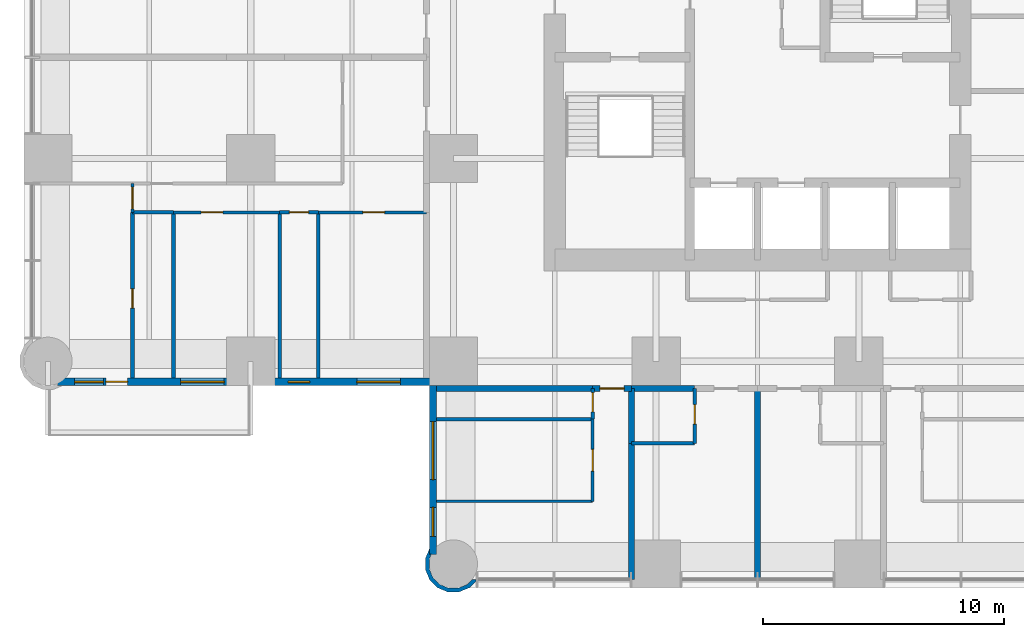
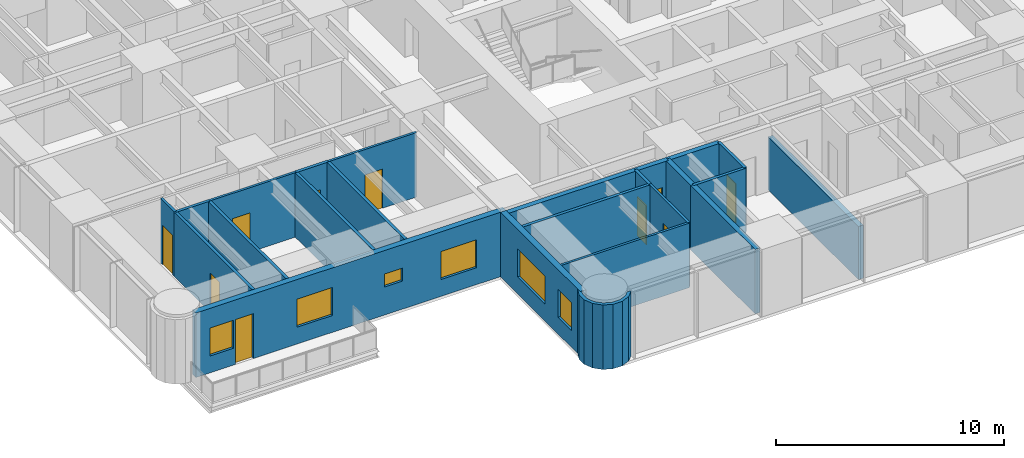
# One storey, part 6 of 14: 24 walls, 10 doors, 6 windows, 16 openings.
"""IFC4 building model written with IfcOpenShell, lengths in metres."""

from ifc_helpers import new_model, si_unit, direction, frame, frame_2d, origin, place, context, subcontext, project, spatial, polyline, rectangle, outline, extrude, material, layer, layer_set, type_object, element, fill, save


model = new_model("IFC4")

# Units and contexts
model_context = context("Model", 3, precision=1e-05, world=origin(), true_north=direction((0.0, 1.0)))
body_context = subcontext(model_context, "Body", "Model", "MODEL_VIEW")
ifc_project = project(units=[si_unit("LENGTHUNIT", "METRE"), si_unit("AREAUNIT", "SQUARE_METRE"), si_unit("VOLUMEUNIT", "CUBIC_METRE"), si_unit("PLANEANGLEUNIT", "RADIAN"), si_unit("MASSUNIT", "GRAM", prefix="KILO")], contexts=[model_context])

# Site, building, storey
site_placement = place(None, origin())
site = spatial("IfcSite", under=ifc_project, at=site_placement, CompositionType="ELEMENT")
building_placement = place(site_placement, origin())
building = spatial("IfcBuilding", under=site, at=building_placement, Name="Torre Alcanfor", CompositionType="ELEMENT")
storey_placement = place(building_placement, frame((0.0, 0.0, 112.5)))
storey = spatial("IfcBuildingStorey", under=building, at=storey_placement, Name="L28", CompositionType="ELEMENT", Elevation=112.5)

# Wall
ifc_material_1 = material(Name="Concrete block masonry, hollow blocks NMX-C-404 9 MPa", Category="masonry")
ifc_layer_1 = layer(ifc_material_1, 0.25)
ifc_layer_set_1 = layer_set([ifc_layer_1], Name="Apartment entrance wall 250 EI 60")
wall_type_1 = type_object("IfcWallType", Name="Apartment entrance wall 250 EI 60", PredefinedType="PARTITIONING", material=ifc_layer_set_1)
wall_1_placement = place(storey_placement, frame((26.800048828125, 15.675048828125, 0.0), z_axis=(0.0, 0.0, 1.0), x_axis=(-1.0, 0.0, 0.0)))
element("IfcWall", 1, at=wall_1_placement, inside=storey, type_object=wall_type_1, Name="Partition L28-CORR / L28-S2A-BATH", PredefinedType="PARTITIONING", context=body_context, shape_type="SweptSolid", body=[
    extrude(rectangle(XDim=2.629150390625, YDim=0.25, at=frame_2d((1.314453125, 0.0))), origin(), (0.0, 0.0, 1.0), 3.449951171875),
])

# Wall, opening, door
wall_2_placement = place(storey_placement, frame((24.1708984375, 15.675048828125, 0.0), z_axis=(0.0, 0.0, 1.0), x_axis=(-1.0, 0.0, 0.0)))
wall_2 = element("IfcWall", 2, at=wall_2_placement, inside=storey, type_object=wall_type_1, Name="Partition L28-CORR / L28-S2B-LIVING", PredefinedType="PARTITIONING", context=body_context, shape_type="SweptSolid", body=[
    extrude(rectangle(XDim=1.599853515625, YDim=0.25, at=frame_2d((0.7998046875, 0.0))), origin(), (0.0, 0.0, 1.0), 3.449951171875),
])
opening_1_placement = place(wall_2_placement, frame((0.300048828125, 0.0, 0.0)))
opening_1 = element("IfcOpeningElement", 3, at=opening_1_placement, cuts=wall_2, Name="Opening D-A1", PredefinedType="OPENING", context=body_context, shape_type="SweptSolid", body=[
    extrude(rectangle(XDim=1.0, YDim=2.10009765625, at=frame_2d((0.5, 1.050048828125))), frame((0.0, 0.135009765625, 0.0), z_axis=(0.0, -1.0, 0.0), x_axis=(1.0, 0.0, 0.0)), (0.0, 0.0, 1.0), 0.27001953125),
])
ifc_material_2 = material(Name="Galvanised steel sheet ASTM A653", Category="steel")
door_type_1 = type_object("IfcDoorType", Name="Apartment entrance door FD60 1000x2100", OperationType="SINGLE_SWING_LEFT", PredefinedType="DOOR", material=ifc_material_2)
door_1_placement = place(opening_1_placement, origin())
door_1 = element("IfcDoor", 4, at=door_1_placement, inside=storey, type_object=door_type_1, Name="Apartment entrance L28-S2B", OperationType="SINGLE_SWING_LEFT", OverallHeight=2.10009765625, OverallWidth=1.0, PredefinedType="DOOR", context=body_context, shape_type="SweptSolid", body=[
    extrude(rectangle(XDim=1.0, YDim=2.10009765625, at=frame_2d((0.5, 1.050048828125))), frame((0.0, 0.02490234375, 0.0), z_axis=(0.0, -1.0, 0.0), x_axis=(1.0, 0.0, 0.0)), (0.0, 0.0, 1.0), 0.050048828125),
])
fill(opening_1, door_1)

# Walls
wall_3_placement = place(storey_placement, frame((22.571044921875, 15.675048828125, 0.0), z_axis=(0.0, 0.0, 1.0), x_axis=(-1.0, 0.0, 0.0)))
element("IfcWall", 5, at=wall_3_placement, inside=storey, type_object=wall_type_1, Name="Partition L28-CORR / L28-S2B-BATH", PredefinedType="PARTITIONING", context=body_context, shape_type="SweptSolid", body=[
    extrude(rectangle(XDim=6.470947265625, YDim=0.25, at=frame_2d((3.2353515625, 0.0))), origin(), (0.0, 0.0, 1.0), 3.449951171875),
])
ifc_material_3 = material(Name="Gypsum board on steel studs", Category="steel")
ifc_layer_2 = layer(ifc_material_3, 0.1201171875)
ifc_layer_set_2 = layer_set([ifc_layer_2], Name="Apartment partition 120")
wall_type_2 = type_object("IfcWallType", Name="Apartment partition 120", PredefinedType="PARTITIONING", material=ifc_layer_set_2)
wall_4_placement = place(storey_placement, frame((16.10009765625, 11.0, 0.0), z_axis=(0.0, 0.0, 1.0), x_axis=(1.0, 0.0, 0.0)))
element("IfcWall", 6, at=wall_4_placement, inside=storey, type_object=wall_type_2, Name="Partition L28-S2B-LIVING / L28-S2B-MASTER", PredefinedType="PARTITIONING", context=body_context, shape_type="SweptSolid", body=[
    extrude(rectangle(XDim=6.470947265625, YDim=0.1201171875, at=frame_2d((3.2353515625, 0.0))), origin(), (0.0, 0.0, 1.0), 3.449951171875),
])

# Wall, opening, door
wall_5_placement = place(storey_placement, frame((22.571044921875, 11.0, 0.0), z_axis=(0.0, 0.0, 1.0), x_axis=(0.0, 1.0, 0.0)))
wall_5 = element("IfcWall", 7, at=wall_5_placement, inside=storey, type_object=wall_type_2, Name="Partition L28-S2B-LIVING / L28-S2B-MASTER", PredefinedType="PARTITIONING", context=body_context, shape_type="SweptSolid", body=[
    extrude(rectangle(XDim=3.39990234375, YDim=0.1201171875, at=frame_2d((1.699951171875, 0.0))), origin(), (0.0, 0.0, 1.0), 3.449951171875),
])
opening_2_placement = place(wall_5_placement, frame((1.25, 0.0, 0.0)))
opening_2 = element("IfcOpeningElement", 8, at=opening_2_placement, cuts=wall_5, Name="Opening D-R1", PredefinedType="OPENING", context=body_context, shape_type="SweptSolid", body=[
    extrude(rectangle(XDim=0.89990234375, YDim=2.10009765625, at=frame_2d((0.449951171875, 1.050048828125))), frame((0.0, 0.070068359375, 0.0), z_axis=(0.0, -1.0, 0.0), x_axis=(1.0, 0.0, 0.0)), (0.0, 0.0, 1.0), 0.14013671875),
])
ifc_material_4 = material(Name="Timber", Category="wood")
door_type_2 = type_object("IfcDoorType", Name="Internal door 900x2100", OperationType="SINGLE_SWING_LEFT", PredefinedType="DOOR", material=ifc_material_4)
door_2_placement = place(opening_2_placement, origin())
door_2 = element("IfcDoor", 9, at=door_2_placement, inside=storey, type_object=door_type_2, Name="Door L28-S2B master", OperationType="SINGLE_SWING_LEFT", OverallHeight=2.10009765625, OverallWidth=0.89990234375, PredefinedType="DOOR", context=body_context, shape_type="SweptSolid", body=[
    extrude(rectangle(XDim=0.89990234375, YDim=2.10009765625, at=frame_2d((0.449951171875, 1.050048828125))), frame((0.0, 0.02490234375, 0.0), z_axis=(0.0, -1.0, 0.0), x_axis=(1.0, 0.0, 0.0)), (0.0, 0.0, 1.0), 0.050048828125),
])
fill(opening_2, door_2)

wall_6_placement = place(storey_placement, frame((11.199951171875, 22.970947265625, 0.0), z_axis=(0.0, 0.0, 1.0), x_axis=(1.0, 0.0, 0.0)))
wall_6 = element("IfcWall", 10, at=wall_6_placement, inside=storey, type_object=wall_type_2, Name="Partition L28-W1-HALL / L28-W1-BED3", PredefinedType="PARTITIONING", context=body_context, shape_type="SweptSolid", body=[
    extrude(rectangle(XDim=4.47509765625, YDim=0.1201171875, at=frame_2d((2.237548828125, 0.0))), origin(), (0.0, 0.0, 1.0), 3.449951171875),
])
opening_3_placement = place(wall_6_placement, frame((1.85009765625, 0.0, 0.0)))
opening_3 = element("IfcOpeningElement", 11, at=opening_3_placement, cuts=wall_6, Name="Opening D-R1", PredefinedType="OPENING", context=body_context, shape_type="SweptSolid", body=[
    extrude(rectangle(XDim=0.89990234375, YDim=2.10009765625, at=frame_2d((0.449951171875, 1.050048828125))), frame((0.0, 0.070068359375, 0.0), z_axis=(0.0, -1.0, 0.0), x_axis=(1.0, 0.0, 0.0)), (0.0, 0.0, 1.0), 0.14013671875),
])
door_3_placement = place(opening_3_placement, frame((0.89990234375, 0.0, 0.0), z_axis=(0.0, 0.0, 1.0), x_axis=(-1.0, 0.0, 0.0)))
door_3 = element("IfcDoor", 12, at=door_3_placement, inside=storey, type_object=door_type_2, Name="Door L28-W1 bed3", OperationType="SINGLE_SWING_LEFT", OverallHeight=2.10009765625, OverallWidth=0.89990234375, PredefinedType="DOOR", context=body_context, shape_type="SweptSolid", body=[
    extrude(rectangle(XDim=0.89990234375, YDim=2.10009765625, at=frame_2d((0.449951171875, 1.050048828125))), frame((0.0, 0.025146484375, 0.0), z_axis=(0.0, -1.0, 0.0), x_axis=(1.0, 0.0, 0.0)), (0.0, 0.0, 1.0), 0.050048828125),
])
fill(opening_3, door_3)

wall_7_placement = place(storey_placement, frame((5.199951171875, 22.970947265625, 0.0), z_axis=(0.0, 0.0, 1.0), x_axis=(1.0, 0.0, 0.0)))
wall_7 = element("IfcWall", 13, at=wall_7_placement, inside=storey, type_object=wall_type_2, Name="Partition L28-W1-HALL / L28-W1-BED2", PredefinedType="PARTITIONING", context=body_context, shape_type="SweptSolid", body=[
    extrude(rectangle(XDim=4.400146484375, YDim=0.1201171875, at=frame_2d((2.2001953125, 0.0))), origin(), (0.0, 0.0, 1.0), 3.449951171875),
])
opening_4_placement = place(wall_7_placement, frame((1.14990234375, 0.0, 0.0)))
opening_4 = element("IfcOpeningElement", 14, at=opening_4_placement, cuts=wall_7, Name="Opening D-R1", PredefinedType="OPENING", context=body_context, shape_type="SweptSolid", body=[
    extrude(rectangle(XDim=0.89990234375, YDim=2.10009765625, at=frame_2d((0.449951171875, 1.050048828125))), frame((0.0, 0.070068359375, 0.0), z_axis=(0.0, -1.0, 0.0), x_axis=(1.0, 0.0, 0.0)), (0.0, 0.0, 1.0), 0.14013671875),
])
door_4_placement = place(opening_4_placement, frame((0.89990234375, 0.0, 0.0), z_axis=(0.0, 0.0, 1.0), x_axis=(-1.0, 0.0, 0.0)))
door_4 = element("IfcDoor", 15, at=door_4_placement, inside=storey, type_object=door_type_2, Name="Door L28-W1 bed2", OperationType="SINGLE_SWING_RIGHT", OverallHeight=2.10009765625, OverallWidth=0.89990234375, PredefinedType="DOOR", context=body_context, shape_type="SweptSolid", body=[
    extrude(rectangle(XDim=0.89990234375, YDim=2.10009765625, at=frame_2d((0.449951171875, 1.050048828125))), frame((0.0, 0.025146484375, 0.0), z_axis=(0.0, -1.0, 0.0), x_axis=(1.0, 0.0, 0.0)), (0.0, 0.0, 1.0), 0.050048828125),
])
fill(opening_4, door_4)

wall_8_placement = place(storey_placement, frame((3.5, 24.1708984375, 0.0), z_axis=(0.0, 0.0, 1.0), x_axis=(0.0, -1.0, 0.0)))
wall_8 = element("IfcWall", 16, at=wall_8_placement, inside=storey, type_object=wall_type_2, Name="Partition L28-W1-HALL / L28-W1-MASTER", PredefinedType="PARTITIONING", context=body_context, shape_type="SweptSolid", body=[
    extrude(rectangle(XDim=1.199951171875, YDim=0.1201171875, at=frame_2d((0.60009765625, 0.0))), origin(), (0.0, 0.0, 1.0), 3.449951171875),
])
opening_5_placement = place(wall_8_placement, frame((0.15087890625, 0.0, 0.0)))
opening_5 = element("IfcOpeningElement", 17, at=opening_5_placement, cuts=wall_8, Name="Opening D-R1", PredefinedType="OPENING", context=body_context, shape_type="SweptSolid", body=[
    extrude(rectangle(XDim=0.89990234375, YDim=2.10009765625, at=frame_2d((0.449951171875, 1.050048828125))), frame((0.0, 0.070068359375, 0.0), z_axis=(0.0, -1.0, 0.0), x_axis=(1.0, 0.0, 0.0)), (0.0, 0.0, 1.0), 0.14013671875),
])
door_5_placement = place(opening_5_placement, frame((0.89990234375, 0.0, 0.0), z_axis=(0.0, 0.0, 1.0), x_axis=(-1.0, 0.0, 0.0)))
door_5 = element("IfcDoor", 18, at=door_5_placement, inside=storey, type_object=door_type_2, Name="Door L28-W1 master", OperationType="SINGLE_SWING_RIGHT", OverallHeight=2.10009765625, OverallWidth=0.89990234375, PredefinedType="DOOR", context=body_context, shape_type="SweptSolid", body=[
    extrude(rectangle(XDim=0.89990234375, YDim=2.10009765625, at=frame_2d((0.449951171875, 1.050048828125))), frame((0.0, 0.025146484375, 0.0), z_axis=(0.0, -1.0, 0.0), x_axis=(1.0, 0.0, 0.0)), (0.0, 0.0, 1.0), 0.050048828125),
])
fill(opening_5, door_5)

# Wall, openings, door, windows
ifc_material_5 = material(Name="Limestone cladding", Category="masonry")
ifc_layer_3 = layer(ifc_material_5, 0.0400390625, Name="Facing")
ifc_material_6 = material(Name="Ventilated air cavity")
ifc_layer_4 = layer(ifc_material_6, 0.02001953125, ventilated=True, Name="Ventilated joint")
ifc_material_7 = material(Name="Mineral wool insulation", Category="insulation")
ifc_layer_5 = layer(ifc_material_7, 0.10009765625, Name="Insulation")
ifc_material_8 = material(Name="Concrete f'c 35 MPa", Category="concrete")
ifc_layer_6 = layer(ifc_material_8, 0.139892578125, Name="Backing")
ifc_layer_set_3 = layer_set([ifc_layer_3, ifc_layer_4, ifc_layer_5, ifc_layer_6], Name="External wall stone-clad 300")
wall_type_3 = type_object("IfcWallType", Name="External wall stone-clad 300", PredefinedType="SOLIDWALL", material=ifc_layer_set_3)
wall_9_placement = place(storey_placement, frame((0.39990234375, 15.949951171875, 0.0), z_axis=(0.0, 0.0, 1.0), x_axis=(1.0, 0.0, 0.0)))
wall_9 = element("IfcWall", 19, at=wall_9_placement, inside=storey, type_object=wall_type_3, Name="External wall L28 3", PredefinedType="SOLIDWALL", context=body_context, shape_type="SweptSolid", body=[
    extrude(rectangle(XDim=15.7001953125, YDim=0.300048828125, at=frame_2d((7.85009765625, 0.0))), origin(), (0.0, 0.0, 1.0), 3.449951171875),
])
opening_6_placement = place(wall_9_placement, frame((12.39990234375, 0.0, 0.89990234375)))
opening_6 = element("IfcOpeningElement", 20, at=opening_6_placement, cuts=wall_9, Name="Opening W2", PredefinedType="OPENING", context=body_context, shape_type="SweptSolid", body=[
    extrude(rectangle(XDim=1.800048828125, YDim=1.5, at=frame_2d((0.89990234375, 0.75))), frame((0.0, 0.159912109375, 0.0), z_axis=(0.0, -1.0, 0.0), x_axis=(1.0, 0.0, 0.0)), (0.0, 0.0, 1.0), 0.320068359375),
])
opening_7_placement = place(wall_9_placement, frame((9.550048828125, 0.0, 1.5)))
opening_7 = element("IfcOpeningElement", 21, at=opening_7_placement, cuts=wall_9, Name="Opening W3", PredefinedType="OPENING", context=body_context, shape_type="SweptSolid", body=[
    extrude(rectangle(XDim=0.89990234375, YDim=0.699951171875, at=frame_2d((0.449951171875, 0.35009765625))), frame((0.0, 0.159912109375, 0.0), z_axis=(0.0, -1.0, 0.0), x_axis=(1.0, 0.0, 0.0)), (0.0, 0.0, 1.0), 0.320068359375),
])
opening_8_placement = place(wall_9_placement, frame((5.10009765625, 0.0, 0.89990234375)))
opening_8 = element("IfcOpeningElement", 22, at=opening_8_placement, cuts=wall_9, Name="Opening W2", PredefinedType="OPENING", context=body_context, shape_type="SweptSolid", body=[
    extrude(rectangle(XDim=1.800048828125, YDim=1.5, at=frame_2d((0.89990234375, 0.75))), frame((0.0, 0.159912109375, 0.0), z_axis=(0.0, -1.0, 0.0), x_axis=(1.0, 0.0, 0.0)), (0.0, 0.0, 1.0), 0.320068359375),
])
opening_9_placement = place(wall_9_placement, frame((2.0, 0.0, 0.0)))
opening_9 = element("IfcOpeningElement", 23, at=opening_9_placement, cuts=wall_9, Name="Opening D-B1", PredefinedType="OPENING", context=body_context, shape_type="SweptSolid", body=[
    extrude(rectangle(XDim=0.89990234375, YDim=2.39990234375, at=frame_2d((0.449951171875, 1.199951171875))), frame((0.0, 0.159912109375, 0.0), z_axis=(0.0, -1.0, 0.0), x_axis=(1.0, 0.0, 0.0)), (0.0, 0.0, 1.0), 0.320068359375),
])
opening_10_placement = place(wall_9_placement, frame((0.699951171875, 0.0, 0.89990234375)))
opening_10 = element("IfcOpeningElement", 24, at=opening_10_placement, cuts=wall_9, Name="Opening W4", PredefinedType="OPENING", context=body_context, shape_type="SweptSolid", body=[
    extrude(rectangle(XDim=1.199951171875, YDim=1.5, at=frame_2d((0.60009765625, 0.75))), frame((0.0, 0.159912109375, 0.0), z_axis=(0.0, -1.0, 0.0), x_axis=(1.0, 0.0, 0.0)), (0.0, 0.0, 1.0), 0.320068359375),
])
ifc_material_9 = material(Name="Aluminium and glass", Category="aluminium")
door_type_3 = type_object("IfcDoorType", Name="Balcony door glazed 900x2400", OperationType="SINGLE_SWING_LEFT", PredefinedType="DOOR", material=ifc_material_9)
door_6_placement = place(opening_9_placement, origin())
door_6 = element("IfcDoor", 25, at=door_6_placement, inside=storey, type_object=door_type_3, Name="Balcony door L28-W1", OperationType="SINGLE_SWING_RIGHT", OverallHeight=2.39990234375, OverallWidth=0.89990234375, PredefinedType="DOOR", context=body_context, shape_type="SweptSolid", body=[
    extrude(rectangle(XDim=0.89990234375, YDim=2.39990234375, at=frame_2d((0.449951171875, 1.199951171875))), frame((0.0, 0.02490234375, 0.0), z_axis=(0.0, -1.0, 0.0), x_axis=(1.0, 0.0, 0.0)), (0.0, 0.0, 1.0), 0.050048828125),
])
fill(opening_9, door_6)
ifc_material_10 = material(Name="Aluminium frame with clear double glazing", Category="aluminium")
window_type_1 = type_object("IfcWindowType", Name="Window bathroom 900x700", PartitioningType="SINGLE_PANEL", PredefinedType="WINDOW", material=ifc_material_10)
window_1_placement = place(opening_7_placement, origin())
window_1 = element("IfcWindow", 26, at=window_1_placement, inside=storey, type_object=window_type_1, Name="Window W3 L28-W1", OverallHeight=0.699951171875, OverallWidth=0.89990234375, PartitioningType="SINGLE_PANEL", PredefinedType="WINDOW", context=body_context, shape_type="SweptSolid", body=[
    extrude(rectangle(XDim=0.89990234375, YDim=0.699951171875, at=frame_2d((0.449951171875, 0.35009765625))), frame((0.0, 0.030029296875, 0.0), z_axis=(0.0, -1.0, 0.0), x_axis=(1.0, 0.0, 0.0)), (0.0, 0.0, 1.0), 0.06005859375),
])
fill(opening_7, window_1)
ifc_material_11 = material(Name="Aluminium frame with clear double glazing", Category="aluminium")
window_type_2 = type_object("IfcWindowType", Name="Window bedroom 1200x1500", PartitioningType="SINGLE_PANEL", PredefinedType="WINDOW", material=ifc_material_11)
window_2_placement = place(opening_10_placement, origin())
window_2 = element("IfcWindow", 27, at=window_2_placement, inside=storey, type_object=window_type_2, Name="Window W4 L28-W1", OverallHeight=1.5, OverallWidth=1.199951171875, PartitioningType="SINGLE_PANEL", PredefinedType="WINDOW", context=body_context, shape_type="SweptSolid", body=[
    extrude(rectangle(XDim=1.199951171875, YDim=1.5, at=frame_2d((0.60009765625, 0.75))), frame((0.0, 0.030029296875, 0.0), z_axis=(0.0, -1.0, 0.0), x_axis=(1.0, 0.0, 0.0)), (0.0, 0.0, 1.0), 0.06005859375),
])
fill(opening_10, window_2)
ifc_material_12 = material(Name="Aluminium frame with clear double glazing", Category="aluminium")
window_type_3 = type_object("IfcWindowType", Name="Window bedroom 1800x1500", PartitioningType="SINGLE_PANEL", PredefinedType="WINDOW", material=ifc_material_12)
window_3_placement = place(opening_6_placement, origin())
window_3 = element("IfcWindow", 28, at=window_3_placement, inside=storey, type_object=window_type_3, Name="Window W2 L28-W1", OverallHeight=1.5, OverallWidth=1.800048828125, PartitioningType="SINGLE_PANEL", PredefinedType="WINDOW", context=body_context, shape_type="SweptSolid", body=[
    extrude(rectangle(XDim=1.800048828125, YDim=1.5, at=frame_2d((0.89990234375, 0.75))), frame((0.0, 0.030029296875, 0.0), z_axis=(0.0, -1.0, 0.0), x_axis=(1.0, 0.0, 0.0)), (0.0, 0.0, 1.0), 0.06005859375),
])
fill(opening_6, window_3)
window_4_placement = place(opening_8_placement, origin())
window_4 = element("IfcWindow", 29, at=window_4_placement, inside=storey, type_object=window_type_3, Name="Window W2 L28-W1", OverallHeight=1.5, OverallWidth=1.800048828125, PartitioningType="SINGLE_PANEL", PredefinedType="WINDOW", context=body_context, shape_type="SweptSolid", body=[
    extrude(rectangle(XDim=1.800048828125, YDim=1.5, at=frame_2d((0.89990234375, 0.75))), frame((0.0, 0.030029296875, 0.0), z_axis=(0.0, -1.0, 0.0), x_axis=(1.0, 0.0, 0.0)), (0.0, 0.0, 1.0), 0.06005859375),
])
fill(opening_8, window_4)

# Wall, openings, windows
wall_10_placement = place(storey_placement, frame((15.949951171875, 15.800048828125, 0.0), z_axis=(0.0, 0.0, 1.0), x_axis=(0.0, -1.0, 0.0)))
wall_10 = element("IfcWall", 30, at=wall_10_placement, inside=storey, type_object=wall_type_3, Name="External wall L28 4", PredefinedType="SOLIDWALL", context=body_context, shape_type="SweptSolid", body=[
    extrude(rectangle(XDim=7.0, YDim=0.300048828125, at=frame_2d((3.5, 0.0))), origin(), (0.0, 0.0, 1.0), 3.449951171875),
])
opening_11_placement = place(wall_10_placement, frame((1.5, 0.0, 0.89990234375)))
opening_11 = element("IfcOpeningElement", 31, at=opening_11_placement, cuts=wall_10, Name="Opening W1", PredefinedType="OPENING", context=body_context, shape_type="SweptSolid", body=[
    extrude(rectangle(XDim=2.39990234375, YDim=1.5, at=frame_2d((1.199951171875, 0.75))), frame((0.0, 0.159912109375, 0.0), z_axis=(0.0, -1.0, 0.0), x_axis=(1.0, 0.0, 0.0)), (0.0, 0.0, 1.0), 0.320068359375),
])
opening_12_placement = place(wall_10_placement, frame((5.050048828125, 0.0, 0.89990234375)))
opening_12 = element("IfcOpeningElement", 32, at=opening_12_placement, cuts=wall_10, Name="Opening W4", PredefinedType="OPENING", context=body_context, shape_type="SweptSolid", body=[
    extrude(rectangle(XDim=1.199951171875, YDim=1.5, at=frame_2d((0.60009765625, 0.75))), frame((0.0, 0.159912109375, 0.0), z_axis=(0.0, -1.0, 0.0), x_axis=(1.0, 0.0, 0.0)), (0.0, 0.0, 1.0), 0.320068359375),
])
window_5_placement = place(opening_12_placement, origin())
window_5 = element("IfcWindow", 33, at=window_5_placement, inside=storey, type_object=window_type_2, Name="Window W4 L28-S2", OverallHeight=1.5, OverallWidth=1.199951171875, PartitioningType="SINGLE_PANEL", PredefinedType="WINDOW", context=body_context, shape_type="SweptSolid", body=[
    extrude(rectangle(XDim=1.199951171875, YDim=1.5, at=frame_2d((0.60009765625, 0.75))), frame((0.0, 0.030029296875, 0.0), z_axis=(0.0, -1.0, 0.0), x_axis=(1.0, 0.0, 0.0)), (0.0, 0.0, 1.0), 0.06005859375),
])
fill(opening_12, window_5)
ifc_material_13 = material(Name="Aluminium frame with clear double glazing", Category="aluminium")
window_type_4 = type_object("IfcWindowType", Name="Window bedroom 2400x1500", PartitioningType="SINGLE_PANEL", PredefinedType="WINDOW", material=ifc_material_13)
window_6_placement = place(opening_11_placement, origin())
window_6 = element("IfcWindow", 34, at=window_6_placement, inside=storey, type_object=window_type_4, Name="Window W1 L28-S2", OverallHeight=1.5, OverallWidth=2.39990234375, PartitioningType="SINGLE_PANEL", PredefinedType="WINDOW", context=body_context, shape_type="SweptSolid", body=[
    extrude(rectangle(XDim=2.39990234375, YDim=1.5, at=frame_2d((1.199951171875, 0.75))), frame((0.0, 0.030029296875, 0.0), z_axis=(0.0, -1.0, 0.0), x_axis=(1.0, 0.0, 0.0)), (0.0, 0.0, 1.0), 0.06005859375),
])
fill(opening_11, window_6)

# Walls
ifc_material_14 = material(Name="Concrete block masonry, hollow blocks NMX-C-404 9 MPa", Category="masonry")
ifc_layer_7 = layer(ifc_material_14, 0.25)
ifc_layer_set_4 = layer_set([ifc_layer_7], Name="Party wall 250 EI 60")
wall_type_4 = type_object("IfcWallType", Name="Party wall 250 EI 60", PredefinedType="PARTITIONING", material=ifc_layer_set_4)
wall_11_placement = place(storey_placement, frame((29.39990234375, 7.75, 0.0), z_axis=(0.0, 0.0, 1.0), x_axis=(0.0, 1.0, 0.0)))
element("IfcWall", 35, at=wall_11_placement, inside=storey, type_object=wall_type_4, Name="Partition L28-S1A-STUDIO / L28-S2A-STUDIO", PredefinedType="PARTITIONING", context=body_context, shape_type="SweptSolid", body=[
    extrude(rectangle(XDim=7.925048828125, YDim=0.25, at=frame_2d((3.96240234375, 0.0))), origin(), (0.0, 0.0, 1.0), 2.847900390625),
])
wall_12_placement = place(storey_placement, frame((24.1708984375, 7.75, 0.0), z_axis=(0.0, 0.0, 1.0), x_axis=(0.0, 1.0, 0.0)))
element("IfcWall", 36, at=wall_12_placement, inside=storey, type_object=wall_type_4, Name="Partition L28-S2A-STUDIO / L28-S2B-LIVING", PredefinedType="PARTITIONING", context=body_context, shape_type="SweptSolid", body=[
    extrude(rectangle(XDim=5.64990234375, YDim=0.25, at=frame_2d((2.824951171875, 0.0))), origin(), (0.0, 0.0, 1.0), 3.449951171875),
])
wall_13_placement = place(storey_placement, frame((24.1708984375, 13.39990234375, 0.0), z_axis=(0.0, 0.0, 1.0), x_axis=(0.0, 1.0, 0.0)))
element("IfcWall", 37, at=wall_13_placement, inside=storey, type_object=wall_type_4, Name="Partition L28-S2A-BATH / L28-S2B-LIVING", PredefinedType="PARTITIONING", context=body_context, shape_type="SweptSolid", body=[
    extrude(rectangle(XDim=2.275146484375, YDim=0.25, at=frame_2d((1.1376953125, 0.0))), origin(), (0.0, 0.0, 1.0), 3.449951171875),
])
ifc_layer_8 = layer(ifc_material_5, 0.0400390625, Name="Facing")
ifc_layer_9 = layer(ifc_material_6, 0.02001953125, ventilated=True, Name="Ventilated joint")
ifc_layer_10 = layer(ifc_material_7, 0.10009765625, Name="Insulation")
ifc_layer_11 = layer(ifc_material_8, 0.139892578125, Name="Backing")
ifc_layer_set_5 = layer_set([ifc_layer_8, ifc_layer_9, ifc_layer_10, ifc_layer_11], Name="Rounded corner pier stone-clad 300")
wall_type_5 = type_object("IfcWallType", Name="Rounded corner pier stone-clad 300", PredefinedType="SOLIDWALL", material=ifc_layer_set_5)
wall_14_placement = place(storey_placement, frame((15.880872367, 8.96710175, 0.0), z_axis=(0.0, 0.0, 1.0), x_axis=(-0.555974394895, -0.831199417842, 0.0)))
element("IfcWall", 38, at=wall_14_placement, inside=storey, type_object=wall_type_5, Name="Corner pier L28 15", PredefinedType="SOLIDWALL", context=body_context, shape_type="SweptSolid", body=[
    extrude(outline(polyline([(0.07494779318848488, 2.0770834026485723), (0.35041856568606644, 2.022252068890168), (0.6818035874774915, 1.8012722041735163), (0.9031888995070552, 1.4702941156722973), (0.9809119895838732, 1.0796443306386898), (0.9034377582706797, 0.6891630303247767), (0.682322157617774, 0.35798093807872333), (0.35134406911655514, 0.13659562604915976), (0.12613335713727736, 0.091695733778619), (0.1837901095306438, 0.025696668693962962), (0.003385743695215479, -0.0949725786354558), (0.41366598820093176, -0.01322437330988896), (0.7972028289534172, 0.24331654620934778), (1.0532449973247993, 0.6272324817571716), (1.1432185886519806, 1.079825301144759), (1.0528059693207321, 1.5324802988204205), (0.7962650498014954, 1.9160171395729058), (0.4125520437990433, 2.1721950438805413), (0.017329426742376697, 2.250609985721389), (-0.023053552786588716, 2.2235985344069293), (0.07494779318848488, 2.0770834026485723)])), origin(), (0.0, 0.0, 1.0), 3.449951171875),
])
ifc_material_15 = material(Name="Cement board on steel studs", Category="steel")
ifc_layer_12 = layer(ifc_material_15, 0.14990234375)
ifc_layer_set_6 = layer_set([ifc_layer_12], Name="Wet area partition 150")
wall_type_6 = type_object("IfcWallType", Name="Wet area partition 150", PredefinedType="PARTITIONING", material=ifc_layer_set_6)
wall_15_placement = place(storey_placement, frame((24.1708984375, 13.39990234375, 0.0), z_axis=(0.0, 0.0, 1.0), x_axis=(1.0, 0.0, 0.0)))
element("IfcWall", 39, at=wall_15_placement, inside=storey, type_object=wall_type_6, Name="Partition L28-S2A-STUDIO / L28-S2A-BATH", PredefinedType="PARTITIONING", context=body_context, shape_type="SweptSolid", body=[
    extrude(rectangle(XDim=2.629150390625, YDim=0.14990234375, at=frame_2d((1.314453125, 0.0))), origin(), (0.0, 0.0, 1.0), 3.449951171875),
])

# Wall, opening, door
wall_16_placement = place(storey_placement, frame((26.800048828125, 13.39990234375, 0.0), z_axis=(0.0, 0.0, 1.0), x_axis=(0.0, 1.0, 0.0)))
wall_16 = element("IfcWall", 40, at=wall_16_placement, inside=storey, type_object=wall_type_6, Name="Partition L28-S2A-STUDIO / L28-S2A-BATH", PredefinedType="PARTITIONING", context=body_context, shape_type="SweptSolid", body=[
    extrude(rectangle(XDim=2.275146484375, YDim=0.14990234375, at=frame_2d((1.1376953125, 0.0))), origin(), (0.0, 0.0, 1.0), 3.449951171875),
])
opening_13_placement = place(wall_16_placement, frame((0.800048828125, 0.0, 0.0)))
opening_13 = element("IfcOpeningElement", 41, at=opening_13_placement, cuts=wall_16, Name="Opening D-R2", PredefinedType="OPENING", context=body_context, shape_type="SweptSolid", body=[
    extrude(rectangle(XDim=0.800048828125, YDim=2.10009765625, at=frame_2d((0.39990234375, 1.050048828125))), frame((0.0, 0.0849609375, 0.0), z_axis=(0.0, -1.0, 0.0), x_axis=(1.0, 0.0, 0.0)), (0.0, 0.0, 1.0), 0.169921875),
])
ifc_material_16 = material(Name="Timber", Category="wood")
door_type_4 = type_object("IfcDoorType", Name="Bathroom door 800x2100", OperationType="SINGLE_SWING_LEFT", PredefinedType="DOOR", material=ifc_material_16)
door_7_placement = place(opening_13_placement, origin())
door_7 = element("IfcDoor", 42, at=door_7_placement, inside=storey, type_object=door_type_4, Name="Door L28-S2A bath", OperationType="SINGLE_SWING_RIGHT", OverallHeight=2.10009765625, OverallWidth=0.800048828125, PredefinedType="DOOR", context=body_context, shape_type="SweptSolid", body=[
    extrude(rectangle(XDim=0.800048828125, YDim=2.10009765625, at=frame_2d((0.39990234375, 1.050048828125))), frame((0.0, 0.02490234375, 0.0), z_axis=(0.0, -1.0, 0.0), x_axis=(1.0, 0.0, 0.0)), (0.0, 0.0, 1.0), 0.050048828125),
])
fill(opening_13, door_7)

wall_17_placement = place(storey_placement, frame((22.571044921875, 14.39990234375, 0.0), z_axis=(0.0, 0.0, 1.0), x_axis=(0.0, 1.0, 0.0)))
wall_17 = element("IfcWall", 43, at=wall_17_placement, inside=storey, type_object=wall_type_6, Name="Partition L28-S2B-LIVING / L28-S2B-BATH", PredefinedType="PARTITIONING", context=body_context, shape_type="SweptSolid", body=[
    extrude(rectangle(XDim=1.275146484375, YDim=0.14990234375, at=frame_2d((0.6376953125, 0.0))), origin(), (0.0, 0.0, 1.0), 3.449951171875),
])
opening_14_placement = place(wall_17_placement, frame((0.300048828125, 0.0, 0.0)))
opening_14 = element("IfcOpeningElement", 44, at=opening_14_placement, cuts=wall_17, Name="Opening D-R2", PredefinedType="OPENING", context=body_context, shape_type="SweptSolid", body=[
    extrude(rectangle(XDim=0.800048828125, YDim=2.10009765625, at=frame_2d((0.39990234375, 1.050048828125))), frame((0.0, 0.0849609375, 0.0), z_axis=(0.0, -1.0, 0.0), x_axis=(1.0, 0.0, 0.0)), (0.0, 0.0, 1.0), 0.169921875),
])
door_8_placement = place(opening_14_placement, origin())
door_8 = element("IfcDoor", 45, at=door_8_placement, inside=storey, type_object=door_type_4, Name="Door L28-S2B bath", OperationType="SINGLE_SWING_RIGHT", OverallHeight=2.10009765625, OverallWidth=0.800048828125, PredefinedType="DOOR", context=body_context, shape_type="SweptSolid", body=[
    extrude(rectangle(XDim=0.800048828125, YDim=2.10009765625, at=frame_2d((0.39990234375, 1.050048828125))), frame((0.0, 0.02490234375, 0.0), z_axis=(0.0, -1.0, 0.0), x_axis=(1.0, 0.0, 0.0)), (0.0, 0.0, 1.0), 0.050048828125),
])
fill(opening_14, door_8)

# Wall
wall_18_placement = place(storey_placement, frame((22.571044921875, 14.39990234375, 0.0), z_axis=(0.0, 0.0, 1.0), x_axis=(-1.0, 0.0, 0.0)))
element("IfcWall", 46, at=wall_18_placement, inside=storey, type_object=wall_type_6, Name="Partition L28-S2B-BATH / L28-S2B-MASTER", PredefinedType="PARTITIONING", context=body_context, shape_type="SweptSolid", body=[
    extrude(rectangle(XDim=6.470947265625, YDim=0.14990234375, at=frame_2d((3.2353515625, 0.0))), origin(), (0.0, 0.0, 1.0), 3.449951171875),
])

# Wall, opening, door
wall_19_placement = place(storey_placement, frame((9.60009765625, 22.970947265625, 0.0), z_axis=(0.0, 0.0, 1.0), x_axis=(1.0, 0.0, 0.0)))
wall_19 = element("IfcWall", 47, at=wall_19_placement, inside=storey, type_object=wall_type_6, Name="Partition L28-W1-HALL / L28-W1-BATH1", PredefinedType="PARTITIONING", context=body_context, shape_type="SweptSolid", body=[
    extrude(rectangle(XDim=1.599853515625, YDim=0.14990234375, at=frame_2d((0.7998046875, 0.0))), origin(), (0.0, 0.0, 1.0), 3.449951171875),
])
opening_15_placement = place(wall_19_placement, frame((0.39990234375, 0.0, 0.0)))
opening_15 = element("IfcOpeningElement", 48, at=opening_15_placement, cuts=wall_19, Name="Opening D-R2", PredefinedType="OPENING", context=body_context, shape_type="SweptSolid", body=[
    extrude(rectangle(XDim=0.800048828125, YDim=2.10009765625, at=frame_2d((0.39990234375, 1.050048828125))), frame((0.0, 0.0849609375, 0.0), z_axis=(0.0, -1.0, 0.0), x_axis=(1.0, 0.0, 0.0)), (0.0, 0.0, 1.0), 0.169921875),
])
door_9_placement = place(opening_15_placement, frame((0.800048828125, 0.0, 0.0), z_axis=(0.0, 0.0, 1.0), x_axis=(-1.0, 0.0, 0.0)))
door_9 = element("IfcDoor", 49, at=door_9_placement, inside=storey, type_object=door_type_4, Name="Door L28-W1 bath1", OperationType="SINGLE_SWING_RIGHT", OverallHeight=2.10009765625, OverallWidth=0.800048828125, PredefinedType="DOOR", context=body_context, shape_type="SweptSolid", body=[
    extrude(rectangle(XDim=0.800048828125, YDim=2.10009765625, at=frame_2d((0.400146484375, 1.050048828125))), frame((0.0, 0.025146484375, 0.0), z_axis=(0.0, -1.0, 0.0), x_axis=(1.0, 0.0, 0.0)), (0.0, 0.0, 1.0), 0.050048828125),
])
fill(opening_15, door_9)

# Walls
wall_20_placement = place(storey_placement, frame((3.5, 22.970947265625, 0.0), z_axis=(0.0, 0.0, 1.0), x_axis=(1.0, 0.0, 0.0)))
element("IfcWall", 50, at=wall_20_placement, inside=storey, type_object=wall_type_6, Name="Partition L28-W1-HALL / L28-W1-ENSBATH", PredefinedType="PARTITIONING", context=body_context, shape_type="SweptSolid", body=[
    extrude(rectangle(XDim=1.699951171875, YDim=0.14990234375, at=frame_2d((0.85009765625, 0.0))), origin(), (0.0, 0.0, 1.0), 3.449951171875),
])
for number, where, z_axis, x_axis, name in (
    (51, (11.199951171875, 22.970947265625, 0.0), (0.0, 0.0, 1.0), (0.0, -1.0, 0.0), "Partition L28-W1-BED3 / L28-W1-BATH1"),
    (52, (9.60009765625, 22.970947265625, 0.0), (0.0, 0.0, 1.0), (0.0, -1.0, 0.0), "Partition L28-W1-BATH1 / L28-W1-BED2"),
    (53, (5.199951171875, 22.970947265625, 0.0), (0.0, 0.0, 1.0), (0.0, -1.0, 0.0), "Partition L28-W1-BED2 / L28-W1-ENSBATH"),
):
    element("IfcWall", number, at=place(storey_placement, frame(where, z_axis=z_axis, x_axis=x_axis)), inside=storey, type_object=wall_type_6, Name=name, PredefinedType="PARTITIONING", context=body_context, shape_type="SweptSolid", body=[
        extrude(rectangle(XDim=6.870849609375, YDim=0.14990234375, at=frame_2d((3.435546875, 0.0))), origin(), (0.0, 0.0, 1.0), 3.449951171875),
    ])

# Wall, opening, door
wall_21_placement = place(storey_placement, frame((3.5, 22.970947265625, 0.0), z_axis=(0.0, 0.0, 1.0), x_axis=(0.0, -1.0, 0.0)))
wall_21 = element("IfcWall", 54, at=wall_21_placement, inside=storey, type_object=wall_type_6, Name="Partition L28-W1-ENSBATH / L28-W1-MASTER", PredefinedType="PARTITIONING", context=body_context, shape_type="SweptSolid", body=[
    extrude(rectangle(XDim=6.870849609375, YDim=0.14990234375, at=frame_2d((3.435546875, 0.0))), origin(), (0.0, 0.0, 1.0), 3.449951171875),
])
opening_16_placement = place(wall_21_placement, frame((3.1708984375, 0.0, 0.0)))
opening_16 = element("IfcOpeningElement", 55, at=opening_16_placement, cuts=wall_21, Name="Opening D-R2", PredefinedType="OPENING", context=body_context, shape_type="SweptSolid", body=[
    extrude(rectangle(XDim=0.800048828125, YDim=2.10009765625, at=frame_2d((0.39990234375, 1.050048828125))), frame((0.0, 0.0849609375, 0.0), z_axis=(0.0, -1.0, 0.0), x_axis=(1.0, 0.0, 0.0)), (0.0, 0.0, 1.0), 0.169921875),
])
door_10_placement = place(opening_16_placement, origin())
door_10 = element("IfcDoor", 56, at=door_10_placement, inside=storey, type_object=door_type_4, Name="Door L28-W1 ensbath", OperationType="SINGLE_SWING_RIGHT", OverallHeight=2.10009765625, OverallWidth=0.800048828125, PredefinedType="DOOR", context=body_context, shape_type="SweptSolid", body=[
    extrude(rectangle(XDim=0.800048828125, YDim=2.10009765625, at=frame_2d((0.39990234375, 1.050048828125))), frame((0.0, 0.02490234375, 0.0), z_axis=(0.0, -1.0, 0.0), x_axis=(1.0, 0.0, 0.0)), (0.0, 0.0, 1.0), 0.050048828125),
])
fill(opening_16, door_10)

save(model, "model.ifc")
